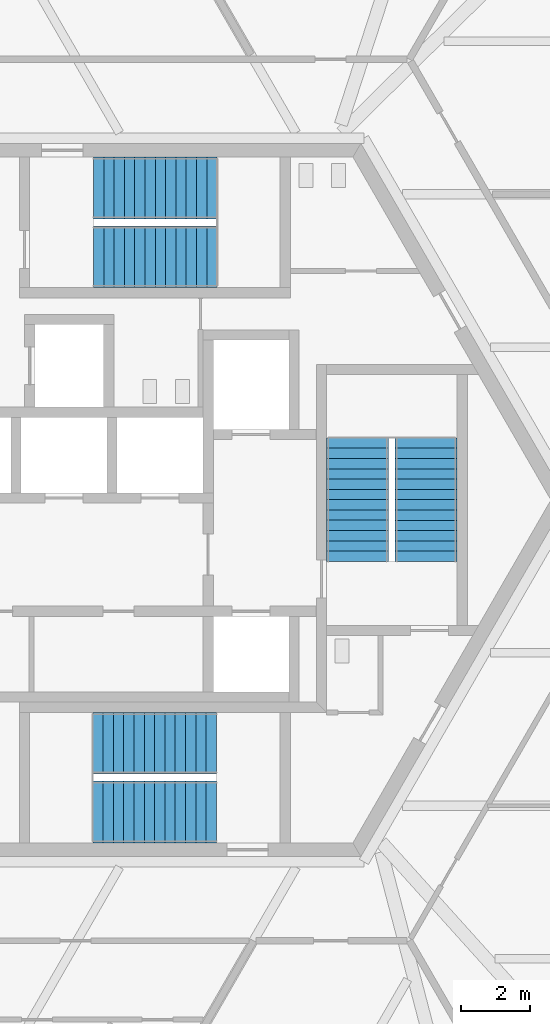
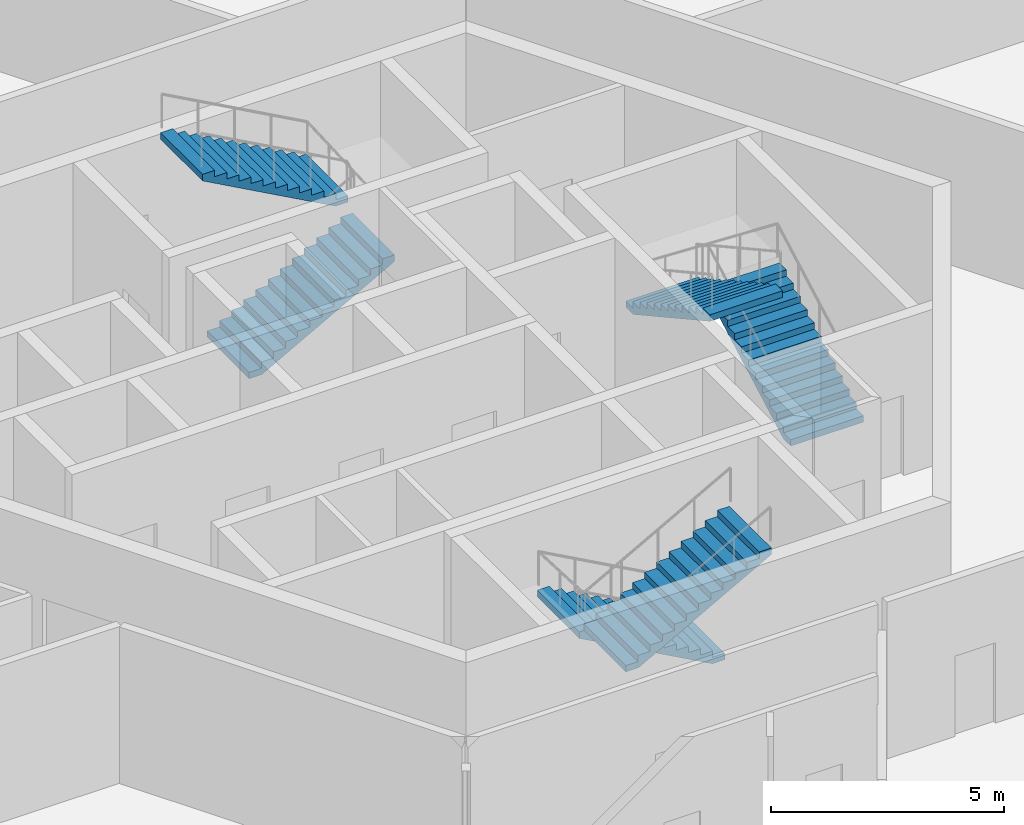
# One storey, part 13 of 15: 6 stair flights, 3 elements without a shape of their own.
"""IFC4 building model written with IfcOpenShell, lengths in metres."""

from ifc_helpers import new_model, si_unit, direction, frame, origin, place, context, subcontext, project, spatial, polyline, outline, extrude, source, transform, mapped, material, type_object, element, aggregate, save


model = new_model("IFC4")

# Units and contexts
model_context = context("Model", 3, precision=1e-05, world=origin(), true_north=direction((0.0, 1.0)))
body_context = subcontext(model_context, "Body", "Model", "MODEL_VIEW")
ifc_project = project(units=[si_unit("LENGTHUNIT", "METRE"), si_unit("AREAUNIT", "SQUARE_METRE"), si_unit("VOLUMEUNIT", "CUBIC_METRE"), si_unit("PLANEANGLEUNIT", "RADIAN"), si_unit("MASSUNIT", "GRAM", prefix="KILO")], contexts=[model_context])

# Site, building, storey
site_placement = place(None, origin())
site = spatial("IfcSite", under=ifc_project, at=site_placement, CompositionType="ELEMENT")
building_placement = place(site_placement, origin())
building = spatial("IfcBuilding", under=site, at=building_placement, Name="Triune Harvest Tower", CompositionType="ELEMENT")
storey_placement = place(building_placement, frame((0.0, 0.0, 28.89990234375)))
storey = spatial("IfcBuildingStorey", under=building, at=storey_placement, Name="L06", CompositionType="ELEMENT", Elevation=28.89990234375)

# Stair, stair flights
ifc_material_1 = material(Name="Concrete 40 MPa", Category="concrete")
stair_type = type_object("IfcStairType", Name="Exit stair 1800 half turn", PredefinedType="HALF_TURN_STAIR", material=ifc_material_1)
stair_1_placement = place(storey_placement, origin())
stair_1 = element("IfcStair", 1, at=stair_1_placement, inside=storey, type_object=stair_type, Name="Exit stair north", PredefinedType="HALF_TURN_STAIR")
ifc_material_2 = material(Name="Concrete 40 MPa", Category="concrete")
stair_flight_type = type_object("IfcStairFlightType", Name="Stair flight 1800", PredefinedType="STRAIGHT", material=ifc_material_2)
shared_shape = source(origin(), body_context, "Body", "SweptSolid", [
    extrude(outline(polyline([(0.0, 0.0), (0.0, 0.165283203125), (0.300048828125, 0.165283203125), (0.300048828125, 0.330810546875), (0.60009765625, 0.330810546875), (0.60009765625, 0.49609375), (0.89990234375, 0.49609375), (0.89990234375, 0.66162109375), (1.199951171875, 0.66162109375), (1.199951171875, 0.826904296875), (1.5, 0.826904296875), (1.5, 0.9921875), (1.800048828125, 0.9921875), (1.800048828125, 1.15771484375), (2.10009765625, 1.15771484375), (2.10009765625, 1.322998046875), (2.39990234375, 1.322998046875), (2.39990234375, 1.488525390625), (2.699951171875, 1.488525390625), (2.699951171875, 1.65380859375), (3.0, 1.65380859375), (3.0, 1.819091796875), (3.300048828125, 1.819091796875), (3.300048828125, 1.984619140625), (3.60009765625, 1.984619140625), (3.60009765625, 2.14990234375), (3.60009765625, 1.8134765625), (0.310546875, 0.0), (0.0, 0.0)])), frame((0.0, 0.89990234375, 0.0), z_axis=(0.0, -1.0, 0.0), x_axis=(1.0, 0.0, 0.0)), (0.0, 0.0, 1.0), 1.800048828125),
])
stair_flight_1_placement = place(storey_placement, frame((-1.7900390625, 7.090087890625, 0.0), z_axis=(0.0, 0.0, 1.0), x_axis=(1.0, 0.0, 0.0)))
stair_flight_1 = element("IfcStairFlight", 2, at=stair_flight_1_placement, type_object=stair_flight_type, Name="ST-1 flight 1", NumberOfRisers=13, NumberOfTreads=12, PredefinedType="STRAIGHT", RiserHeight=0.16538, TreadLength=0.3, context=body_context, shape_type="MappedRepresentation", body=[
    mapped(shared_shape, transform((0.0, 0.0, 0.0), scale=1.0)),
])
stair_flight_2_placement = place(storey_placement, frame((1.81005859375, 9.090087890625, 2.150146484375), z_axis=(0.0, 0.0, 1.0), x_axis=(-1.0, 0.0, 0.0)))
stair_flight_2 = element("IfcStairFlight", 3, at=stair_flight_2_placement, type_object=stair_flight_type, Name="ST-1 flight 2", NumberOfRisers=13, NumberOfTreads=12, PredefinedType="STRAIGHT", RiserHeight=0.16538, TreadLength=0.3, context=body_context, shape_type="MappedRepresentation", body=[
    mapped(shared_shape, transform((0.0, 0.0, 0.0), scale=1.0)),
])
aggregate(stair_1, [stair_flight_1, stair_flight_2])

stair_2_placement = place(storey_placement, origin())
stair_2 = element("IfcStair", 4, at=stair_2_placement, inside=storey, type_object=stair_type, Name="Exit stair south", PredefinedType="HALF_TURN_STAIR")
stair_flight_3_placement = place(storey_placement, frame((1.7900390625, -7.090087890625, 0.0), z_axis=(0.0, 0.0, 1.0), x_axis=(-1.0, 0.0, 0.0)))
stair_flight_3 = element("IfcStairFlight", 5, at=stair_flight_3_placement, type_object=stair_flight_type, Name="ST-2 flight 1", NumberOfRisers=13, NumberOfTreads=12, PredefinedType="STRAIGHT", RiserHeight=0.16538, TreadLength=0.3, context=body_context, shape_type="MappedRepresentation", body=[
    mapped(shared_shape, transform((0.0, 0.0, 0.0), scale=1.0)),
])
stair_flight_4_placement = place(storey_placement, frame((-1.81005859375, -9.090087890625, 2.150146484375), z_axis=(0.0, 0.0, 1.0), x_axis=(1.0, 0.0, 0.0)))
stair_flight_4 = element("IfcStairFlight", 6, at=stair_flight_4_placement, type_object=stair_flight_type, Name="ST-2 flight 2", NumberOfRisers=13, NumberOfTreads=12, PredefinedType="STRAIGHT", RiserHeight=0.16538, TreadLength=0.3, context=body_context, shape_type="MappedRepresentation", body=[
    mapped(shared_shape, transform((0.0, 0.0, 0.0), scale=1.0)),
])
aggregate(stair_2, [stair_flight_3, stair_flight_4])

stair_3_placement = place(storey_placement, origin())
stair_3 = element("IfcStair", 7, at=stair_3_placement, inside=storey, type_object=stair_type, Name="Exit stair east", PredefinedType="HALF_TURN_STAIR")
stair_flight_5_placement = place(storey_placement, frame((7.89990234375, -1.7900390625, 0.0), z_axis=(0.0, 0.0, 1.0), x_axis=(0.0, 1.0, 0.0)))
stair_flight_5 = element("IfcStairFlight", 8, at=stair_flight_5_placement, type_object=stair_flight_type, Name="ST-3 flight 1", NumberOfRisers=13, NumberOfTreads=12, PredefinedType="STRAIGHT", RiserHeight=0.16538, TreadLength=0.3, context=body_context, shape_type="MappedRepresentation", body=[
    mapped(shared_shape, transform((0.0, 0.0, 0.0), scale=1.0)),
])
stair_flight_6_placement = place(storey_placement, frame((5.89990234375, 1.81005859375, 2.150146484375), z_axis=(0.0, 0.0, 1.0), x_axis=(0.0, -1.0, 0.0)))
stair_flight_6 = element("IfcStairFlight", 9, at=stair_flight_6_placement, type_object=stair_flight_type, Name="ST-3 flight 2", NumberOfRisers=13, NumberOfTreads=12, PredefinedType="STRAIGHT", RiserHeight=0.16538, TreadLength=0.3, context=body_context, shape_type="MappedRepresentation", body=[
    mapped(shared_shape, transform((0.0, 0.0, 0.0), scale=1.0)),
])
aggregate(stair_3, [stair_flight_5, stair_flight_6])

save(model, "model.ifc")
